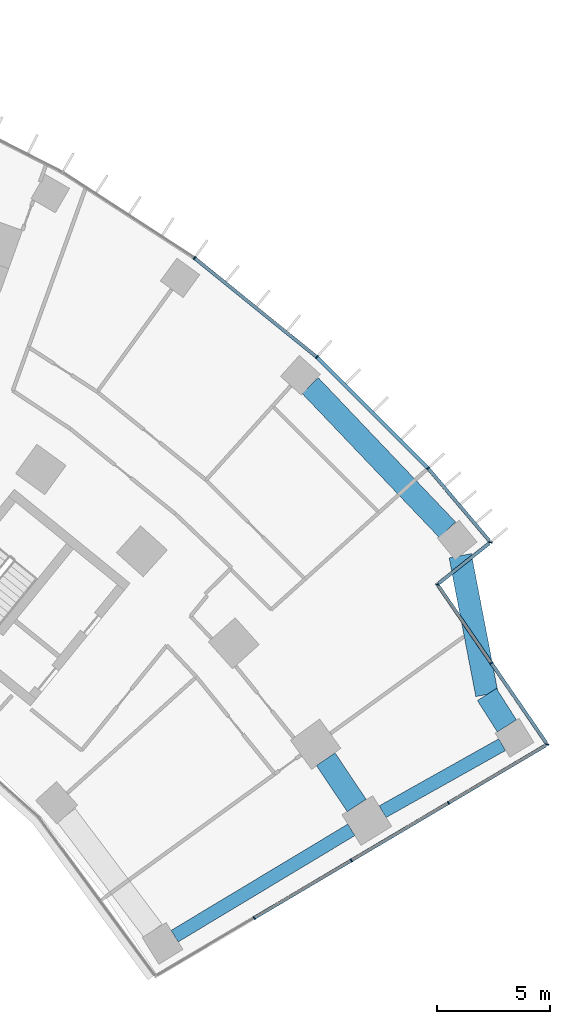
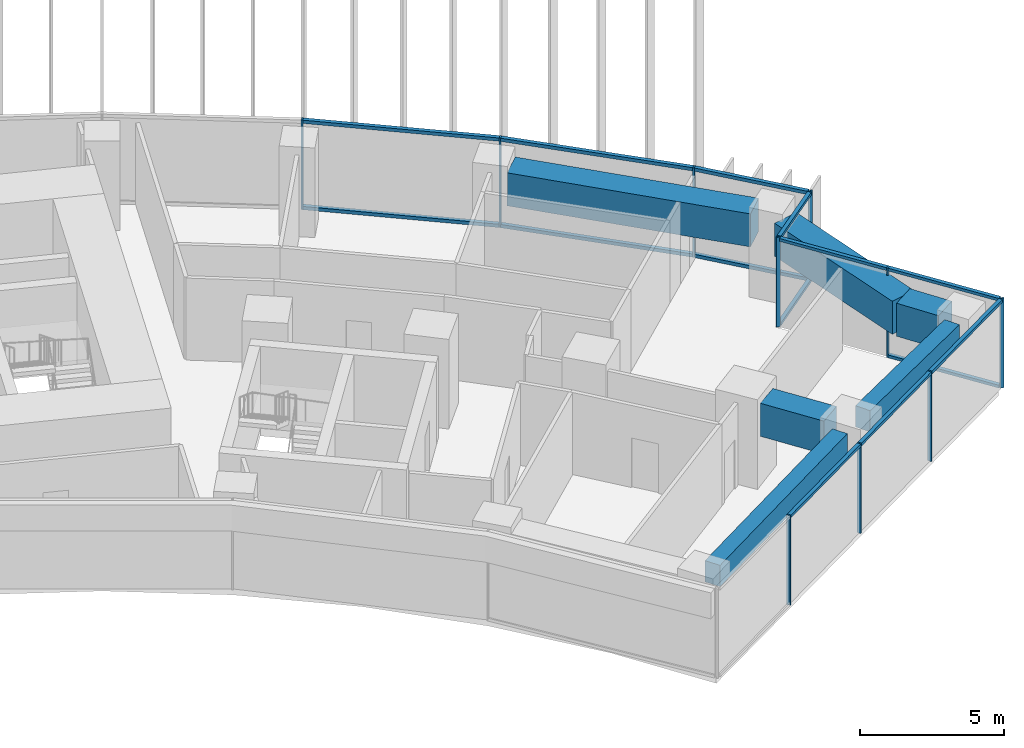
# One storey, part 11 of 24: 24 members, 6 beams, 4 elements without a shape of their own.
"""IFC4 building model written with IfcOpenShell, lengths in metres."""

from ifc_helpers import new_model, si_unit, direction, frame, origin, origin_2d, place, context, subcontext, project, spatial, rectangle, extrude, material, layer, layer_set, material_profile, profile_set, type_object, element, aggregate, save


model = new_model("IFC4")

# Units and contexts
model_context = context("Model", 3, precision=1e-05, world=origin(), true_north=direction((0.0, 1.0)))
body_context = subcontext(model_context, "Body", "Model", "MODEL_VIEW")
ifc_project = project(units=[si_unit("LENGTHUNIT", "METRE"), si_unit("AREAUNIT", "SQUARE_METRE"), si_unit("VOLUMEUNIT", "CUBIC_METRE"), si_unit("PLANEANGLEUNIT", "RADIAN"), si_unit("MASSUNIT", "GRAM", prefix="KILO")], contexts=[model_context])

# Site, building, storey
site_placement = place(None, origin())
site = spatial("IfcSite", under=ifc_project, at=site_placement, CompositionType="ELEMENT")
building_placement = place(site_placement, origin())
building = spatial("IfcBuilding", under=site, at=building_placement, Name="Stone Belt Terrace Tower", CompositionType="ELEMENT")
storey_placement = place(building_placement, frame((0.0, 0.0, 41.39990234375)))
storey = spatial("IfcBuildingStorey", under=building, at=storey_placement, Name="L09", CompositionType="ELEMENT", Elevation=41.39990234375)

# Curtain wall, members
ifc_material_1 = material(Name="Aluminium 6063-T6 anodised frame", Category="aluminium")
ifc_layer_1 = layer(ifc_material_1, 0.14990234375)
ifc_layer_set_1 = layer_set([ifc_layer_1], Name="CW-A unitised convex-face curtain wall")
curtain_wall_type_1 = type_object("IfcCurtainWallType", Name="CW-A unitised convex-face curtain wall", PredefinedType="NOTDEFINED", material=ifc_layer_set_1)
curtain_wall_1_placement = place(storey_placement, origin())
curtain_wall_1 = element("IfcCurtainWall", 1, at=curtain_wall_1_placement, inside=storey, type_object=curtain_wall_type_1, Name="CW-A convex face L09", PredefinedType="NOTDEFINED")
ifc_material_profile_1 = material_profile(ifc_material_1, rectangle(XDim=0.14990234375, YDim=0.06005859375, at=origin_2d()), Name="Aluminium 6063-T6 60x150")
ifc_profile_set_1 = profile_set([ifc_material_profile_1], Name="Aluminium 6063-T6 anodised frame")
member_type_1 = type_object("IfcMemberType", Name="CW-A mullion 60 x 150", PredefinedType="MULLION", material=ifc_profile_set_1)
member_1_placement = place(storey_placement, frame((52.24072265625, 41.27294921875, 0.0), z_axis=(0.0, 0.0, 1.0), x_axis=(-0.995023084308, 0.099644677203, 0.0)))
member_1 = element("IfcMember", 2, at=member_1_placement, type_object=member_type_1, Name="CW-A mullion 1", PredefinedType="MULLION", context=body_context, shape_type="SweptSolid", body=[
    extrude(rectangle(XDim=0.14990234375, YDim=0.06005859375, at=origin_2d()), origin(), (0.0, 0.0, 1.0), 3.800048828125),
])
member_2_placement = place(storey_placement, frame((49.474365234375, 44.548095703125, 0.0), z_axis=(0.0, 0.0, 1.0), x_axis=(-0.73617076011, -0.676795842155, 0.0)))
member_2 = element("IfcMember", 3, at=member_2_placement, type_object=member_type_1, Name="CW-A mullion 2", PredefinedType="MULLION", context=body_context, shape_type="SweptSolid", body=[
    extrude(rectangle(XDim=0.14990234375, YDim=0.06005859375, at=origin_2d()), origin(), (0.0, 0.0, 1.0), 3.800048828125),
])
member_3_placement = place(storey_placement, frame((44.54736328125, 49.474853515625, 0.0), z_axis=(0.0, 0.0, 1.0), x_axis=(-0.669130606359, -0.743144825477, 0.0)))
member_3 = element("IfcMember", 4, at=member_3_placement, type_object=member_type_1, Name="CW-A mullion 3", PredefinedType="MULLION", context=body_context, shape_type="SweptSolid", body=[
    extrude(rectangle(XDim=0.14990234375, YDim=0.06005859375, at=origin_2d()), origin(), (0.0, 0.0, 1.0), 3.800048828125),
])
member_4_placement = place(storey_placement, frame((39.1318359375, 53.8603515625, 0.0), z_axis=(0.0, 0.0, 1.0), x_axis=(-0.587785252292, -0.809016994375, 0.0)))
member_4 = element("IfcMember", 5, at=member_4_placement, type_object=member_type_1, Name="CW-A mullion 4", PredefinedType="MULLION", context=body_context, shape_type="SweptSolid", body=[
    extrude(rectangle(XDim=0.14990234375, YDim=0.06005859375, at=origin_2d()), origin(), (0.0, 0.0, 1.0), 3.800048828125),
])
ifc_material_profile_2 = material_profile(ifc_material_1, rectangle(XDim=0.14990234375, YDim=0.139892578125, at=origin_2d()), Name="Aluminium 6063-T6 150x140")
ifc_profile_set_2 = profile_set([ifc_material_profile_2], Name="Aluminium 6063-T6 anodised frame")
member_type_2 = type_object("IfcMemberType", Name="CW-A transom 140 x 150", PredefinedType="USERDEFINED", material=ifc_profile_set_2)
member_5_placement = place(storey_placement, frame((52.192626953125, 41.330078125, 0.070068359375), z_axis=(-0.645289935316, 0.763937758839, 0.0), x_axis=(-0.763937758839, -0.645289935316, 0.0)))
member_5 = element("IfcMember", 6, at=member_5_placement, type_object=member_type_2, Name="CW-A transom 1.1", ObjectType="TRANSOM", PredefinedType="USERDEFINED", context=body_context, shape_type="SweptSolid", body=[
    extrude(rectangle(XDim=0.14990234375, YDim=0.139892578125, at=origin_2d()), origin(), (0.0, 0.0, 1.0), 4.17919921875),
])
member_6_placement = place(storey_placement, frame((52.192626953125, 41.330078125, 3.72998046875), z_axis=(-0.645289935316, 0.763937758839, 0.0), x_axis=(-0.763937758839, -0.645289935316, 0.0)))
member_6 = element("IfcMember", 7, at=member_6_placement, type_object=member_type_2, Name="CW-A transom 1.2", ObjectType="TRANSOM", PredefinedType="USERDEFINED", context=body_context, shape_type="SweptSolid", body=[
    extrude(rectangle(XDim=0.14990234375, YDim=0.139892578125, at=origin_2d()), origin(), (0.0, 0.0, 1.0), 4.17919921875),
])
member_7_placement = place(storey_placement, frame((49.450927734375, 44.5712890625, 0.070068359375), z_axis=(-0.707106781187, 0.707106781187, 0.0), x_axis=(-0.707106781187, -0.707106781187, 0.0)))
member_7 = element("IfcMember", 8, at=member_7_placement, type_object=member_type_2, Name="CW-A transom 2.1", ObjectType="TRANSOM", PredefinedType="USERDEFINED", context=body_context, shape_type="SweptSolid", body=[
    extrude(rectangle(XDim=0.14990234375, YDim=0.139892578125, at=origin_2d()), origin(), (0.0, 0.0, 1.0), 6.90087890625),
])
member_8_placement = place(storey_placement, frame((49.450927734375, 44.5712890625, 3.72998046875), z_axis=(-0.707106781187, 0.707106781187, 0.0), x_axis=(-0.707106781187, -0.707106781187, 0.0)))
member_8 = element("IfcMember", 9, at=member_8_placement, type_object=member_type_2, Name="CW-A transom 2.2", ObjectType="TRANSOM", PredefinedType="USERDEFINED", context=body_context, shape_type="SweptSolid", body=[
    extrude(rectangle(XDim=0.14990234375, YDim=0.139892578125, at=origin_2d()), origin(), (0.0, 0.0, 1.0), 6.90087890625),
])
member_9_placement = place(storey_placement, frame((44.52099609375, 49.496337890625, 0.070068359375), z_axis=(-0.777141048626, 0.629326457842, 0.0), x_axis=(-0.629326457842, -0.777141048626, 0.0)))
member_9 = element("IfcMember", 10, at=member_9_placement, type_object=member_type_2, Name="CW-A transom 3.1", ObjectType="TRANSOM", PredefinedType="USERDEFINED", context=body_context, shape_type="SweptSolid", body=[
    extrude(rectangle(XDim=0.14990234375, YDim=0.139892578125, at=origin_2d()), origin(), (0.0, 0.0, 1.0), 6.900634765625),
])
member_10_placement = place(storey_placement, frame((44.52099609375, 49.496337890625, 3.72998046875), z_axis=(-0.777141048626, 0.629326457842, 0.0), x_axis=(-0.629326457842, -0.777141048626, 0.0)))
member_10 = element("IfcMember", 11, at=member_10_placement, type_object=member_type_2, Name="CW-A transom 3.2", ObjectType="TRANSOM", PredefinedType="USERDEFINED", context=body_context, shape_type="SweptSolid", body=[
    extrude(rectangle(XDim=0.14990234375, YDim=0.139892578125, at=origin_2d()), origin(), (0.0, 0.0, 1.0), 6.900634765625),
])
aggregate(curtain_wall_1, [member_1, member_2, member_3, member_4, member_5, member_6, member_7, member_8, member_9, member_10])

ifc_layer_2 = layer(ifc_material_1, 0.14990234375)
ifc_layer_set_2 = layer_set([ifc_layer_2], Name="CW-C stick curtain wall, horn ends and notches")
curtain_wall_type_2 = type_object("IfcCurtainWallType", Name="CW-C stick curtain wall, horn ends and notches", PredefinedType="NOTDEFINED", material=ifc_layer_set_2)
curtain_wall_2_placement = place(storey_placement, origin())
curtain_wall_2 = element("IfcCurtainWall", 12, at=curtain_wall_2_placement, inside=storey, type_object=curtain_wall_type_2, Name="CW-C end face L09", PredefinedType="NOTDEFINED")
ifc_material_profile_3 = material_profile(ifc_material_1, rectangle(XDim=0.14990234375, YDim=0.06005859375, at=origin_2d()), Name="Aluminium 6063-T6 60x150")
ifc_profile_set_3 = profile_set([ifc_material_profile_3], Name="Aluminium 6063-T6 anodised frame")
member_type_3 = type_object("IfcMemberType", Name="CW-C mullion 60 x 150", PredefinedType="MULLION", material=ifc_profile_set_3)
member_11_placement = place(storey_placement, frame((41.775146484375, 24.63916015625, 0.0), z_axis=(0.0, 0.0, 1.0), x_axis=(-0.509352918793, 0.860557728521, 0.0)))
member_11 = element("IfcMember", 13, at=member_11_placement, type_object=member_type_3, Name="CW-C mullion 2", PredefinedType="MULLION", context=body_context, shape_type="SweptSolid", body=[
    extrude(rectangle(XDim=0.14990234375, YDim=0.06005859375, at=origin_2d()), origin(), (0.0, 0.0, 1.0), 3.800048828125),
])
member_12_placement = place(storey_placement, frame((46.078125, 27.185791015625, 0.0), z_axis=(0.0, 0.0, 1.0), x_axis=(-0.509352918793, 0.860557728521, 0.0)))
member_12 = element("IfcMember", 14, at=member_12_placement, type_object=member_type_3, Name="CW-C mullion 3", PredefinedType="MULLION", context=body_context, shape_type="SweptSolid", body=[
    extrude(rectangle(XDim=0.14990234375, YDim=0.06005859375, at=origin_2d()), origin(), (0.0, 0.0, 1.0), 3.800048828125),
])
member_13_placement = place(storey_placement, frame((50.380859375, 29.732666015625, 0.0), z_axis=(0.0, 0.0, 1.0), x_axis=(-0.509352918793, 0.860557728521, 0.0)))
member_13 = element("IfcMember", 15, at=member_13_placement, type_object=member_type_3, Name="CW-C mullion 4", PredefinedType="MULLION", context=body_context, shape_type="SweptSolid", body=[
    extrude(rectangle(XDim=0.14990234375, YDim=0.06005859375, at=origin_2d()), origin(), (0.0, 0.0, 1.0), 3.800048828125),
])

curtain_wall_3_placement = place(storey_placement, origin())
curtain_wall_3 = element("IfcCurtainWall", 16, at=curtain_wall_3_placement, inside=storey, type_object=curtain_wall_type_2, Name="CW-C notch face L09", PredefinedType="NOTDEFINED")
member_14_placement = place(storey_placement, frame((54.752685546875, 32.3203125, 0.0), z_axis=(0.0, 0.0, 1.0), x_axis=(-0.976519557331, 0.215428768157, 0.0)))
member_14 = element("IfcMember", 17, at=member_14_placement, type_object=member_type_3, Name="CW-C mullion 1", PredefinedType="MULLION", context=body_context, shape_type="SweptSolid", body=[
    extrude(rectangle(XDim=0.14990234375, YDim=0.06005859375, at=origin_2d()), origin(), (0.0, 0.0, 1.0), 3.800048828125),
])
member_15_placement = place(storey_placement, frame((52.275390625, 35.925048828125, 0.0), z_axis=(0.0, 0.0, 1.0), x_axis=(-0.824146991357, -0.566375967567, 0.0)))
member_15 = element("IfcMember", 18, at=member_15_placement, type_object=member_type_3, Name="CW-C mullion 2", PredefinedType="MULLION", context=body_context, shape_type="SweptSolid", body=[
    extrude(rectangle(XDim=0.14990234375, YDim=0.06005859375, at=origin_2d()), origin(), (0.0, 0.0, 1.0), 3.800048828125),
])

# Curtain wall, member
curtain_wall_4_placement = place(storey_placement, origin())
curtain_wall_4 = element("IfcCurtainWall", 19, at=curtain_wall_4_placement, inside=storey, type_object=curtain_wall_type_2, Name="CW-C notch face L09", PredefinedType="NOTDEFINED")
member_16_placement = place(storey_placement, frame((49.88330078125, 39.406005859375, 0.0), z_axis=(0.0, 0.0, 1.0), x_axis=(-0.988851375203, 0.14890586879, 0.0)))
member_16 = element("IfcMember", 20, at=member_16_placement, type_object=member_type_3, Name="CW-C mullion 1", PredefinedType="MULLION", context=body_context, shape_type="SweptSolid", body=[
    extrude(rectangle(XDim=0.14990234375, YDim=0.06005859375, at=origin_2d()), origin(), (0.0, 0.0, 1.0), 3.800048828125),
])

# Member
ifc_material_profile_4 = material_profile(ifc_material_1, rectangle(XDim=0.14990234375, YDim=0.1201171875, at=origin_2d()), Name="Aluminium 6063-T6 150x120")
ifc_profile_set_4 = profile_set([ifc_material_profile_4], Name="Aluminium 6063-T6 anodised frame")
member_type_4 = type_object("IfcMemberType", Name="CW-C transom 120 x 150", PredefinedType="USERDEFINED", material=ifc_profile_set_4)
member_17_placement = place(storey_placement, frame((41.801025390625, 24.654296875, 3.739990234375), z_axis=(0.860547505115, 0.509370190962, 0.0), x_axis=(-0.509370190962, 0.860547505115, 0.0)))
member_17 = element("IfcMember", 21, at=member_17_placement, type_object=member_type_4, Name="CW-C transom 2.1", ObjectType="TRANSOM", PredefinedType="USERDEFINED", context=body_context, shape_type="SweptSolid", body=[
    extrude(rectangle(XDim=0.14990234375, YDim=0.1201171875, at=origin_2d()), origin(), (0.0, 0.0, 1.0), 4.940185546875),
])

member_18_placement = place(storey_placement, frame((46.103759765625, 27.201171875, 3.739990234375), z_axis=(0.860569167434, 0.50933359212, 0.0), x_axis=(-0.50933359212, 0.860569167434, 0.0)))
member_18 = element("IfcMember", 22, at=member_18_placement, type_object=member_type_4, Name="CW-C transom 3.1", ObjectType="TRANSOM", PredefinedType="USERDEFINED", context=body_context, shape_type="SweptSolid", body=[
    extrude(rectangle(XDim=0.14990234375, YDim=0.1201171875, at=origin_2d()), origin(), (0.0, 0.0, 1.0), 4.93994140625),
])

member_19_placement = place(storey_placement, frame((50.40673828125, 29.747802734375, 3.739990234375), z_axis=(0.860543319846, 0.509377261633, 0.0), x_axis=(-0.509377261633, 0.860543319846, 0.0)))
member_19 = element("IfcMember", 23, at=member_19_placement, type_object=member_type_4, Name="CW-C transom 4.1", ObjectType="TRANSOM", PredefinedType="USERDEFINED", context=body_context, shape_type="SweptSolid", body=[
    extrude(rectangle(XDim=0.14990234375, YDim=0.1201171875, at=origin_2d()), origin(), (0.0, 0.0, 1.0), 4.97509765625),
])

aggregate(curtain_wall_2, [member_11, member_12, member_13, member_17, member_18, member_19])

member_20_placement = place(storey_placement, frame((54.7099609375, 32.38232421875, 0.06005859375), z_axis=(-0.566339474571, 0.824172069135, 0.0), x_axis=(-0.824172069135, -0.566339474571, 0.0)))
member_20 = element("IfcMember", 24, at=member_20_placement, type_object=member_type_4, Name="CW-C transom 1.1", ObjectType="TRANSOM", PredefinedType="USERDEFINED", context=body_context, shape_type="SweptSolid", body=[
    extrude(rectangle(XDim=0.14990234375, YDim=0.1201171875, at=origin_2d()), origin(), (0.0, 0.0, 1.0), 4.2685546875),
])

member_21_placement = place(storey_placement, frame((54.7099609375, 32.38232421875, 3.739990234375), z_axis=(-0.566339474571, 0.824172069135, 0.0), x_axis=(-0.824172069135, -0.566339474571, 0.0)))
member_21 = element("IfcMember", 25, at=member_21_placement, type_object=member_type_4, Name="CW-C transom 1.2", ObjectType="TRANSOM", PredefinedType="USERDEFINED", context=body_context, shape_type="SweptSolid", body=[
    extrude(rectangle(XDim=0.14990234375, YDim=0.1201171875, at=origin_2d()), origin(), (0.0, 0.0, 1.0), 4.2685546875),
])

member_22_placement = place(storey_placement, frame((52.25830078125, 35.94970703125, 3.739990234375), z_axis=(-0.566362850847, 0.824156005365, 0.0), x_axis=(-0.824156005365, -0.566362850847, 0.0)))
member_22 = element("IfcMember", 26, at=member_22_placement, type_object=member_type_4, Name="CW-C transom 2.1", ObjectType="TRANSOM", PredefinedType="USERDEFINED", context=body_context, shape_type="SweptSolid", body=[
    extrude(rectangle(XDim=0.14990234375, YDim=0.1201171875, at=origin_2d()), origin(), (0.0, 0.0, 1.0), 4.12060546875),
])

aggregate(curtain_wall_3, [member_14, member_15, member_20, member_21, member_22])

member_23_placement = place(storey_placement, frame((49.9404296875, 39.451416015625, 0.06005859375), z_axis=(0.783966177893, 0.620803537297, 0.0), x_axis=(-0.620803537297, 0.783966177893, 0.0)))
member_23 = element("IfcMember", 27, at=member_23_placement, type_object=member_type_4, Name="CW-C transom 1.1", ObjectType="TRANSOM", PredefinedType="USERDEFINED", context=body_context, shape_type="SweptSolid", body=[
    extrude(rectangle(XDim=0.14990234375, YDim=0.1201171875, at=origin_2d()), origin(), (0.0, 0.0, 1.0), 2.859375),
])

member_24_placement = place(storey_placement, frame((49.9404296875, 39.451416015625, 3.739990234375), z_axis=(0.783966177893, 0.620803537297, 0.0), x_axis=(-0.620803537297, 0.783966177893, 0.0)))
member_24 = element("IfcMember", 28, at=member_24_placement, type_object=member_type_4, Name="CW-C transom 1.2", ObjectType="TRANSOM", PredefinedType="USERDEFINED", context=body_context, shape_type="SweptSolid", body=[
    extrude(rectangle(XDim=0.14990234375, YDim=0.1201171875, at=origin_2d()), origin(), (0.0, 0.0, 1.0), 2.859375),
])

aggregate(curtain_wall_4, [member_16, member_23, member_24])

# Beams
ifc_material_2 = material(Name="Concrete B60", Category="concrete")
ifc_material_profile_5 = material_profile(ifc_material_2, rectangle(XDim=0.60009765625, YDim=0.89990234375, at=origin_2d()), Name="RC 600x900")
ifc_profile_set_5 = profile_set([ifc_material_profile_5], Name="Concrete B60")
beam_type_1 = type_object("IfcBeamType", Name="Edge beam RC 600x900 B60", PredefinedType="SPANDREL", material=ifc_profile_set_5)
beam_1_placement = place(storey_placement, frame((38.253662109375, 23.83203125, 3.030029296875), z_axis=(0.856900189152, 0.51548236229, 0.0), x_axis=(-0.51548236229, 0.856900189152, 0.0)))
element("IfcBeam", 29, at=beam_1_placement, inside=storey, type_object=beam_type_1, Name="Edge beam L09 B P to Q", PredefinedType="SPANDREL", context=body_context, shape_type="SweptSolid", body=[
    extrude(rectangle(XDim=0.60009765625, YDim=0.89990234375, at=origin_2d()), origin(), (0.0, 0.0, 1.0), 9.130859375),
])
beam_2_placement = place(storey_placement, frame((47.4619140625, 29.3427734375, 3.030029296875), z_axis=(0.872212947991, 0.489126336806, 0.0), x_axis=(-0.489126336806, 0.872212947991, 0.0)))
element("IfcBeam", 30, at=beam_2_placement, inside=storey, type_object=beam_type_1, Name="Edge beam L09 B Q to R", PredefinedType="SPANDREL", context=body_context, shape_type="SweptSolid", body=[
    extrude(rectangle(XDim=0.60009765625, YDim=0.89990234375, at=origin_2d()), origin(), (0.0, 0.0, 1.0), 6.069091796875),
])
ifc_material_3 = material(Name="Concrete B80", Category="concrete")
ifc_material_profile_6 = material_profile(ifc_material_3, rectangle(XDim=1.0, YDim=1.39990234375, at=origin_2d()), Name="RC 1000x1400")
ifc_profile_set_6 = profile_set([ifc_material_profile_6], Name="Concrete B80")
beam_type_2 = type_object("IfcBeamType", Name="Transfer beam RC 1000x1400 B80", PredefinedType="BEAM", material=ifc_profile_set_6)
beam_3_placement = place(storey_placement, frame((44.942138671875, 31.66357421875, 2.780029296875), z_axis=(0.557506301722, -0.830172707056, 0.0), x_axis=(0.830172707056, 0.557506301722, 0.0)))
element("IfcBeam", 31, at=beam_3_placement, inside=storey, type_object=beam_type_2, Name="Transfer beam L09 QQ31-QB", PredefinedType="BEAM", context=body_context, shape_type="SweptSolid", body=[
    extrude(rectangle(XDim=1.0, YDim=1.39990234375, at=origin_2d()), origin(), (0.0, 0.0, 1.0), 2.466796875),
])
beam_4_placement = place(storey_placement, frame((50.898681640625, 40.676025390625, 2.780029296875), z_axis=(0.188822784658, -0.982011179159, 0.0), x_axis=(0.982011179159, 0.188822784658, 0.0)))
element("IfcBeam", 32, at=beam_4_placement, inside=storey, type_object=beam_type_2, Name="Transfer beam L09 RRNB-RB", PredefinedType="BEAM", context=body_context, shape_type="SweptSolid", body=[
    extrude(rectangle(XDim=1.0, YDim=1.39990234375, at=origin_2d()), origin(), (0.0, 0.0, 1.0), 6.25537109375),
])
beam_5_placement = place(storey_placement, frame((52.079833984375, 34.533203125, 2.780029296875), z_axis=(0.537374186249, -0.843343929813, 0.0), x_axis=(0.843343929813, 0.537374186249, 0.0)))
element("IfcBeam", 33, at=beam_5_placement, inside=storey, type_object=beam_type_2, Name="Transfer beam L09 RRB-RB", PredefinedType="BEAM", context=body_context, shape_type="SweptSolid", body=[
    extrude(rectangle(XDim=1.0, YDim=1.39990234375, at=origin_2d()), origin(), (0.0, 0.0, 1.0), 1.64697265625),
])
beam_6_placement = place(storey_placement, frame((44.252685546875, 48.213623046875, 2.780029296875), z_axis=(0.689505130806, -0.724280798167, 0.0), x_axis=(0.724280798167, 0.689505130806, 0.0)))
element("IfcBeam", 34, at=beam_6_placement, inside=storey, type_object=beam_type_2, Name="Transfer beam L09 RR29-RNB", PredefinedType="BEAM", context=body_context, shape_type="SweptSolid", body=[
    extrude(rectangle(XDim=1.0, YDim=1.39990234375, at=origin_2d()), origin(), (0.0, 0.0, 1.0), 8.817626953125),
])

save(model, "model.ifc")
